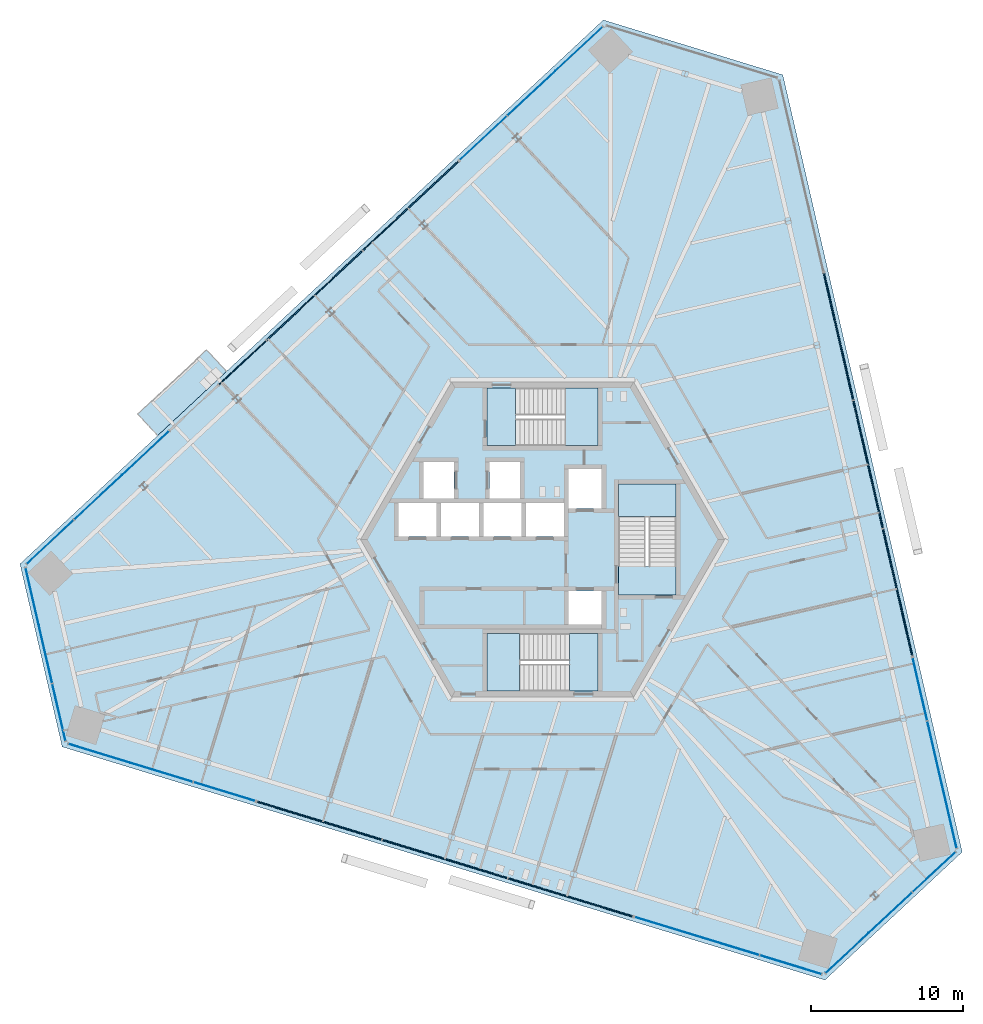
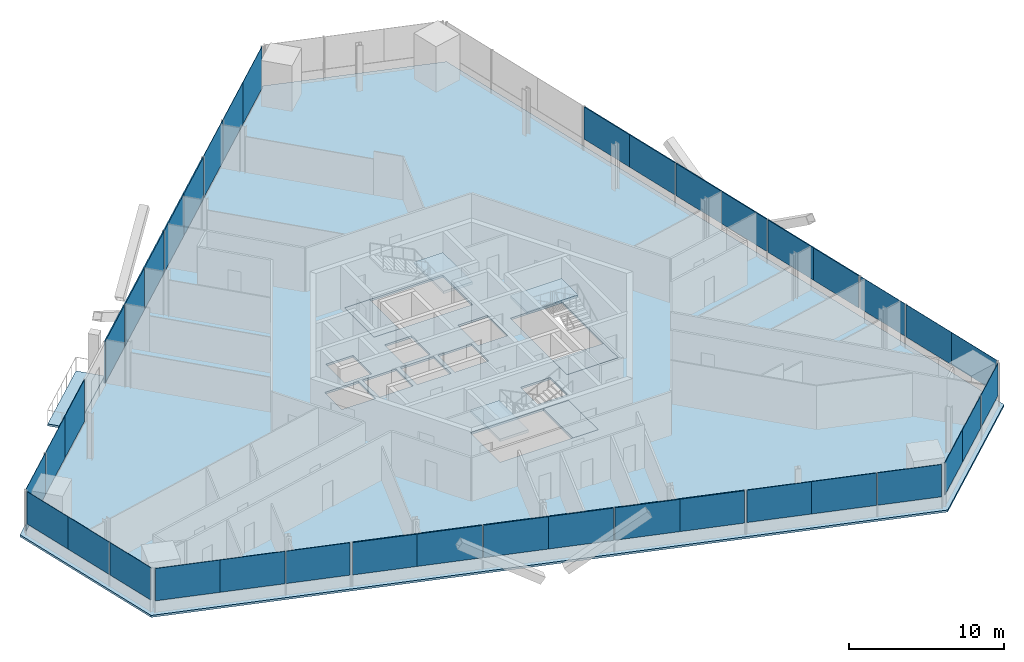
# One storey, part 10 of 20: 38 plates, 8 slabs, 13 elements without a shape of their own.
"""IFC4 building model written with IfcOpenShell, lengths in metres."""

from ifc_helpers import new_model, si_unit, direction, frame, origin, origin_2d, place, context, subcontext, project, spatial, polyline, rectangle, outline, extrude, source, transform, mapped, material, layer, layer_set, type_object, element, aggregate, save


model = new_model("IFC4")

# Units and contexts
model_context = context("Model", 3, precision=1e-05, world=origin(), true_north=direction((0.0, 1.0)))
body_context = subcontext(model_context, "Body", "Model", "MODEL_VIEW")
ifc_project = project(units=[si_unit("LENGTHUNIT", "METRE"), si_unit("AREAUNIT", "SQUARE_METRE"), si_unit("VOLUMEUNIT", "CUBIC_METRE"), si_unit("PLANEANGLEUNIT", "RADIAN"), si_unit("MASSUNIT", "GRAM", prefix="KILO")], contexts=[model_context])

# Site, building, storey
site_placement = place(None, origin())
site = spatial("IfcSite", under=ifc_project, at=site_placement, CompositionType="ELEMENT")
building_placement = place(site_placement, origin())
building = spatial("IfcBuilding", under=site, at=building_placement, Name="Triune Harvest Tower", CompositionType="ELEMENT")
storey_placement = place(building_placement, frame((0.0, 0.0, 116.300048828125)))
storey = spatial("IfcBuildingStorey", under=building, at=storey_placement, Name="L29", CompositionType="ELEMENT", Elevation=116.300048828125)

# Slabs
ifc_material_1 = material(Name="Concrete 40 MPa", Category="concrete")
ifc_layer_1 = layer(ifc_material_1, 0.159912109375)
ifc_layer_set_1 = layer_set([ifc_layer_1], Name="Concrete 40 MPa")
slab_type_1 = type_object("IfcSlabType", Name="BA-1 balcony slab 160", PredefinedType="FLOOR", material=ifc_layer_set_1)
slab_1_placement = place(storey_placement, frame((0.0, 0.0, -0.16015625)))
element("IfcSlab", 1, at=slab_1_placement, inside=storey, type_object=slab_type_1, Name="Balcony slab B3-F3 L29.9", PredefinedType="FLOOR", context=body_context, shape_type="SweptSolid", body=[
    extrude(outline(polyline([(-20.830322265625, 11.099853515625), (-25.378662109375, 6.8583984375), (-26.69580078125, 8.27099609375), (-22.147705078125, 12.51220703125), (-20.830322265625, 11.099853515625)])), origin(), (0.0, 0.0, 1.0), 0.16015625),
])
ifc_material_2 = material(Name="Concrete 40 MPa", Category="concrete")
ifc_layer_2 = layer(ifc_material_2, 0.159912109375)
ifc_layer_set_2 = layer_set([ifc_layer_2], Name="Concrete 40 MPa")
slab_type_2 = type_object("IfcSlabType", Name="SL-1 Composite floor slab 160", PredefinedType="FLOOR", material=ifc_layer_set_2)
shared_shape_1 = source(origin(), body_context, "Body", "SweptSolid", [
    extrude(outline(polyline([(27.666748046875, -20.59765625), (15.83740234375, 30.641357421875), (4.004638671875, 34.2587890625), (-34.454833984375, -1.60498046875), (-31.67138671875, -13.661376953125), (18.617431640625, -29.0361328125), (27.666748046875, -20.59765625)]), holes=[polyline([(-7.0, 0.2099609375), (-7.0, 2.409912109375), (-9.5, 2.409912109375), (-9.5, 0.2099609375), (-7.0, 0.2099609375)]), polyline([(-4.199951171875, 0.2099609375), (-4.199951171875, 2.409912109375), (-6.699951171875, 2.409912109375), (-6.699951171875, 0.2099609375), (-4.199951171875, 0.2099609375)]), polyline([(-1.39990234375, 0.2099609375), (-1.39990234375, 2.409912109375), (-3.89990234375, 2.409912109375), (-3.89990234375, 0.2099609375), (-1.39990234375, 0.2099609375)]), polyline([(1.39990234375, 0.2099609375), (1.39990234375, 2.409912109375), (-1.10009765625, 2.409912109375), (-1.10009765625, 0.2099609375), (1.39990234375, 0.2099609375)]), polyline([(3.89990234375, 2.06005859375), (3.89990234375, 4.659912109375), (1.699951171875, 4.659912109375), (1.699951171875, 2.06005859375), (3.89990234375, 2.06005859375)]), polyline([(3.89990234375, -5.590087890625), (3.89990234375, -3.389892578125), (1.699951171875, -3.389892578125), (1.699951171875, -5.590087890625), (3.89990234375, -5.590087890625)]), polyline([(-5.85009765625, 2.7099609375), (-5.85009765625, 5.110107421875), (-7.85009765625, 5.110107421875), (-7.85009765625, 2.7099609375), (-5.85009765625, 2.7099609375)]), polyline([(-1.5, 2.7099609375), (-1.5, 5.110107421875), (-3.5, 5.110107421875), (-3.5, 2.7099609375), (-1.5, 2.7099609375)]), polyline([(3.64990234375, 6.18994140625), (3.64990234375, 9.989990234375), (-3.64990234375, 9.989990234375), (-3.64990234375, 6.18994140625), (3.64990234375, 6.18994140625)]), polyline([(3.64990234375, -9.989990234375), (3.64990234375, -6.18994140625), (-3.64990234375, -6.18994140625), (-3.64990234375, -9.989990234375), (3.64990234375, -9.989990234375)]), polyline([(8.800048828125, -3.64990234375), (8.800048828125, 3.64990234375), (5.0, 3.64990234375), (5.0, -3.64990234375), (8.800048828125, -3.64990234375)])]), origin(), (0.0, 0.0, 1.0), 0.16015625),
])
slab_2_placement = place(storey_placement, frame((0.0, 0.0, -0.16015625)))
element("IfcSlab", 2, at=slab_2_placement, inside=storey, type_object=slab_type_2, Name="slab/L29/1", PredefinedType="FLOOR", context=body_context, shape_type="MappedRepresentation", body=[
    mapped(shared_shape_1, transform((0.0, 0.0, 0.0), scale=1.0)),
])

# Stair, slabs
ifc_material_3 = material(Name="Concrete 40 MPa", Category="concrete")
stair_type = type_object("IfcStairType", Name="Exit stair 1800 half turn", PredefinedType="HALF_TURN_STAIR", material=ifc_material_3)
stair_1_placement = place(storey_placement, origin())
stair_1 = element("IfcStair", 3, at=stair_1_placement, inside=storey, type_object=stair_type, Name="Exit stair north", PredefinedType="HALF_TURN_STAIR")
ifc_material_4 = material(Name="Concrete 40 MPa", Category="concrete")
ifc_layer_3 = layer(ifc_material_4, 0.199951171875)
ifc_layer_set_3 = layer_set([ifc_layer_3], Name="Concrete 40 MPa")
slab_type_3 = type_object("IfcSlabType", Name="Stair landing 200", PredefinedType="LANDING", material=ifc_layer_set_3)
shared_shape_2 = source(origin(), body_context, "Body", "SweptSolid", [
    extrude(outline(polyline([(-3.64990234375, 6.18994140625), (-1.780029296875, 6.18994140625), (-1.780029296875, 9.989990234375), (-3.64990234375, 9.989990234375), (-3.64990234375, 6.18994140625)])), origin(), (0.0, 0.0, 1.0), 0.199951171875),
])
slab_3_placement = place(storey_placement, frame((0.0, 0.0, -0.199951171875)))
slab_3 = element("IfcSlab", 4, at=slab_3_placement, type_object=slab_type_3, Name="ST-1 landing 1", PredefinedType="LANDING", context=body_context, shape_type="MappedRepresentation", body=[
    mapped(shared_shape_2, transform((0.0, 0.0, 0.0), scale=1.0)),
])
shared_shape_3 = source(origin(), body_context, "Body", "SweptSolid", [
    extrude(outline(polyline([(1.510009765625, 6.18994140625), (3.64990234375, 6.18994140625), (3.64990234375, 9.989990234375), (1.510009765625, 9.989990234375), (1.510009765625, 6.18994140625)])), origin(), (0.0, 0.0, 1.0), 0.2001953125),
])
slab_4_placement = place(storey_placement, frame((0.0, 0.0, 1.599853515625)))
slab_4 = element("IfcSlab", 5, at=slab_4_placement, type_object=slab_type_3, Name="ST-1 landing 2", PredefinedType="LANDING", context=body_context, shape_type="MappedRepresentation", body=[
    mapped(shared_shape_3, transform((0.0, 0.0, 0.0), scale=1.0)),
])
aggregate(stair_1, [slab_3, slab_4])

stair_2_placement = place(storey_placement, origin())
stair_2 = element("IfcStair", 6, at=stair_2_placement, inside=storey, type_object=stair_type, Name="Exit stair south", PredefinedType="HALF_TURN_STAIR")
shared_shape_4 = source(origin(), body_context, "Body", "SweptSolid", [
    extrude(outline(polyline([(3.64990234375, -6.18994140625), (1.780029296875, -6.18994140625), (1.780029296875, -9.989990234375), (3.64990234375, -9.989990234375), (3.64990234375, -6.18994140625)])), origin(), (0.0, 0.0, 1.0), 0.199951171875),
])
slab_5_placement = place(storey_placement, frame((0.0, 0.0, -0.199951171875)))
slab_5 = element("IfcSlab", 7, at=slab_5_placement, type_object=slab_type_3, Name="ST-2 landing 1", PredefinedType="LANDING", context=body_context, shape_type="MappedRepresentation", body=[
    mapped(shared_shape_4, transform((0.0, 0.0, 0.0), scale=1.0)),
])
shared_shape_5 = source(origin(), body_context, "Body", "SweptSolid", [
    extrude(outline(polyline([(-1.510009765625, -6.18994140625), (-3.64990234375, -6.18994140625), (-3.64990234375, -9.989990234375), (-1.510009765625, -9.989990234375), (-1.510009765625, -6.18994140625)])), origin(), (0.0, 0.0, 1.0), 0.2001953125),
])
slab_6_placement = place(storey_placement, frame((0.0, 0.0, 1.599853515625)))
slab_6 = element("IfcSlab", 8, at=slab_6_placement, type_object=slab_type_3, Name="ST-2 landing 2", PredefinedType="LANDING", context=body_context, shape_type="MappedRepresentation", body=[
    mapped(shared_shape_5, transform((0.0, 0.0, 0.0), scale=1.0)),
])
aggregate(stair_2, [slab_5, slab_6])

stair_3_placement = place(storey_placement, origin())
stair_3 = element("IfcStair", 9, at=stair_3_placement, inside=storey, type_object=stair_type, Name="Exit stair east", PredefinedType="HALF_TURN_STAIR")
shared_shape_6 = source(origin(), body_context, "Body", "SweptSolid", [
    extrude(outline(polyline([(8.800048828125, -3.64990234375), (8.800048828125, -1.780029296875), (5.0, -1.780029296875), (5.0, -3.64990234375), (8.800048828125, -3.64990234375)])), origin(), (0.0, 0.0, 1.0), 0.199951171875),
])
slab_7_placement = place(storey_placement, frame((0.0, 0.0, -0.199951171875)))
slab_7 = element("IfcSlab", 10, at=slab_7_placement, type_object=slab_type_3, Name="ST-3 landing 1", PredefinedType="LANDING", context=body_context, shape_type="MappedRepresentation", body=[
    mapped(shared_shape_6, transform((0.0, 0.0, 0.0), scale=1.0)),
])
shared_shape_7 = source(origin(), body_context, "Body", "SweptSolid", [
    extrude(outline(polyline([(8.800048828125, 1.510009765625), (8.800048828125, 3.64990234375), (5.0, 3.64990234375), (5.0, 1.510009765625), (8.800048828125, 1.510009765625)])), origin(), (0.0, 0.0, 1.0), 0.2001953125),
])
slab_8_placement = place(storey_placement, frame((0.0, 0.0, 1.599853515625)))
slab_8 = element("IfcSlab", 11, at=slab_8_placement, type_object=slab_type_3, Name="ST-3 landing 2", PredefinedType="LANDING", context=body_context, shape_type="MappedRepresentation", body=[
    mapped(shared_shape_7, transform((0.0, 0.0, 0.0), scale=1.0)),
])
aggregate(stair_3, [slab_7, slab_8])

# Curtain wall, plate
ifc_material_5 = material(Name="Aluminium bronze anodised", Category="aluminium")
curtain_wall_type_1 = type_object("IfcCurtainWallType", Name="CW-1 Tower stick curtain wall", PredefinedType="NOTDEFINED", material=ifc_material_5)
curtain_wall_1_placement = place(storey_placement, origin())
curtain_wall_1 = element("IfcCurtainWall", 12, at=curtain_wall_1_placement, inside=storey, type_object=curtain_wall_type_1, Name="CW-1 B3-F4 L29 run 1")
ifc_material_6 = material(Name="Glass", Category="glass")
ifc_layer_4 = layer(ifc_material_6, 0.031982421875)
ifc_layer_set_4 = layer_set([ifc_layer_4], Name="Glass")
plate_type_1 = type_object("IfcPlateType", Name="GL-1 panel 32", PredefinedType="CURTAIN_PANEL", material=ifc_layer_set_4)
shared_shape_8 = source(origin(), body_context, "Body", "SweptSolid", [
    extrude(rectangle(XDim=3.8740234375, YDim=0.031982421875, at=origin_2d()), origin(), (0.0, 0.0, 1.0), 2.5400390625),
])
plate_1_placement = place(storey_placement, frame((-33.650634765625, -3.75439453125, 0.89990234375), z_axis=(0.0, 0.0, 1.0), x_axis=(0.224946950683, -0.974371012181, 0.0)))
plate_1 = element("IfcPlate", 13, at=plate_1_placement, type_object=plate_type_1, Name="CW-1 panel B3-F4 1.1", PredefinedType="CURTAIN_PANEL", context=body_context, shape_type="MappedRepresentation", body=[
    mapped(shared_shape_8, transform((0.0, 0.0, 0.0), scale=1.0)),
])

curtain_wall_2_placement = place(storey_placement, origin())
curtain_wall_2 = element("IfcCurtainWall", 14, at=curtain_wall_2_placement, inside=storey, type_object=curtain_wall_type_1, Name="CW-1 B3-F6 L29 run 1")
plate_2_placement = place(storey_placement, frame((20.076904296875, -27.26513671875, 0.89990234375), z_axis=(0.0, 0.0, 1.0), x_axis=(0.731349946151, 0.682002387287, 0.0)))
plate_2 = element("IfcPlate", 15, at=plate_2_placement, type_object=plate_type_1, Name="CW-1 panel B3-F6 1.1", PredefinedType="CURTAIN_PANEL", context=body_context, shape_type="MappedRepresentation", body=[
    mapped(shared_shape_8, transform((0.0, 0.0, 0.0), scale=1.0)),
])

# Plate
shared_shape_9 = source(origin(), body_context, "Body", "SweptSolid", [
    extrude(rectangle(XDim=3.911376953125, YDim=0.031982421875, at=origin_2d()), origin(), (0.0, 0.0, 1.0), 2.5400390625),
])
plate_3_placement = place(storey_placement, frame((-32.77490234375, -7.54736328125, 0.89990234375), z_axis=(0.0, 0.0, 1.0), x_axis=(0.224946950683, -0.974371012181, 0.0)))
plate_3 = element("IfcPlate", 16, at=plate_3_placement, type_object=plate_type_1, Name="CW-1 panel B3-F4 1.2", PredefinedType="CURTAIN_PANEL", context=body_context, shape_type="MappedRepresentation", body=[
    mapped(shared_shape_9, transform((0.0, 0.0, 0.0), scale=1.0)),
])

plate_4_placement = place(storey_placement, frame((22.923828125, -24.6103515625, 0.89990234375), z_axis=(0.0, 0.0, 1.0), x_axis=(0.731349946151, 0.682002387287, 0.0)))
plate_4 = element("IfcPlate", 17, at=plate_4_placement, type_object=plate_type_1, Name="CW-1 panel B3-F6 1.2", PredefinedType="CURTAIN_PANEL", context=body_context, shape_type="MappedRepresentation", body=[
    mapped(shared_shape_9, transform((0.0, 0.0, 0.0), scale=1.0)),
])

shared_shape_10 = source(origin(), body_context, "Body", "SweptSolid", [
    extrude(rectangle(XDim=3.83642578125, YDim=0.031982421875, at=origin_2d()), origin(), (0.0, 0.0, 1.0), 2.5400390625),
])
plate_5_placement = place(storey_placement, frame((-31.88671875, -11.395263671875, 0.89990234375), z_axis=(0.0, 0.0, 1.0), x_axis=(0.224946950683, -0.974371012181, 0.0)))
plate_5 = element("IfcPlate", 18, at=plate_5_placement, type_object=plate_type_1, Name="CW-1 panel B3-F4 1.3", PredefinedType="CURTAIN_PANEL", context=body_context, shape_type="MappedRepresentation", body=[
    mapped(shared_shape_10, transform((0.0, 0.0, 0.0), scale=1.0)),
])

aggregate(curtain_wall_1, [plate_1, plate_3, plate_5])

plate_6_placement = place(storey_placement, frame((25.81201171875, -21.9169921875, 0.89990234375), z_axis=(0.0, 0.0, 1.0), x_axis=(0.731349946151, 0.682002387287, 0.0)))
plate_6 = element("IfcPlate", 19, at=plate_6_placement, type_object=plate_type_1, Name="CW-1 panel B3-F6 1.3", PredefinedType="CURTAIN_PANEL", context=body_context, shape_type="MappedRepresentation", body=[
    mapped(shared_shape_10, transform((0.0, 0.0, 0.0), scale=1.0)),
])

aggregate(curtain_wall_2, [plate_2, plate_4, plate_6])

# Curtain wall, plates
ifc_material_7 = material(Name="Aluminium bronze anodised", Category="aluminium")
curtain_wall_type_2 = type_object("IfcCurtainWallType", Name="CW-7 Tower stick curtain wall with insulated spandrel infill", PredefinedType="NOTDEFINED", material=ifc_material_7)
curtain_wall_3_placement = place(storey_placement, origin())
curtain_wall_3 = element("IfcCurtainWall", 20, at=curtain_wall_3_placement, inside=storey, type_object=curtain_wall_type_2, Name="CW-7 B3-F1 L29 run 1001")
ifc_material_8 = material(Name="Insulated spandrel panel, bronze aluminium pan", Category="aluminium")
ifc_layer_5 = layer(ifc_material_8, 0.080078125)
ifc_layer_set_5 = layer_set([ifc_layer_5], Name="Insulated spandrel panel, bronze aluminium pan")
plate_type_2 = type_object("IfcPlateType", Name="SP-1 insulated spandrel panel 80", PredefinedType="CURTAIN_PANEL", material=ifc_layer_set_5)
shared_shape_11 = source(origin(), body_context, "Body", "SweptSolid", [
    extrude(rectangle(XDim=4.263427734375, YDim=0.080078125, at=origin_2d()), origin(), (0.0, 0.0, 1.0), 2.5400390625),
])
plate_7_placement = place(storey_placement, frame((23.89111328125, -5.576904296875, 0.89990234375), z_axis=(0.0, 0.0, 1.0), x_axis=(-0.22495153415, 0.974369954013, 0.0)))
plate_7 = element("IfcPlate", 21, at=plate_7_placement, type_object=plate_type_2, Name="CW-7 panel B3-F1 1001.1", PredefinedType="CURTAIN_PANEL", context=body_context, shape_type="MappedRepresentation", body=[
    mapped(shared_shape_11, transform((0.0, 0.0, 0.0), scale=1.0)),
])
plate_8_placement = place(storey_placement, frame((19.0283203125, 15.485595703125, 0.89990234375), z_axis=(0.0, 0.0, 1.0), x_axis=(-0.22495153415, 0.974369954013, 0.0)))
plate_8 = element("IfcPlate", 22, at=plate_8_placement, type_object=plate_type_2, Name="CW-7 panel B3-F1 1001.6", PredefinedType="CURTAIN_PANEL", context=body_context, shape_type="MappedRepresentation", body=[
    mapped(shared_shape_11, transform((0.0, 0.0, 0.0), scale=1.0)),
])

curtain_wall_4_placement = place(storey_placement, origin())
curtain_wall_4 = element("IfcCurtainWall", 23, at=curtain_wall_4_placement, inside=storey, type_object=curtain_wall_type_2, Name="CW-7 B3-F5 L29 run 1001")
plate_9_placement = place(storey_placement, frame((-16.775390625, -17.90185546875, 0.89990234375), z_axis=(0.0, 0.0, 1.0), x_axis=(0.956304349234, -0.292373035069, 0.0)))
plate_9 = element("IfcPlate", 24, at=plate_9_placement, type_object=plate_type_2, Name="CW-7 panel B3-F5 1001.1", PredefinedType="CURTAIN_PANEL", context=body_context, shape_type="MappedRepresentation", body=[
    mapped(shared_shape_11, transform((0.0, 0.0, 0.0), scale=1.0)),
])
plate_10_placement = place(storey_placement, frame((3.896728515625, -24.221923828125, 0.89990234375), z_axis=(0.0, 0.0, 1.0), x_axis=(0.956304349234, -0.292373035069, 0.0)))
plate_10 = element("IfcPlate", 25, at=plate_10_placement, type_object=plate_type_2, Name="CW-7 panel B3-F5 1001.6", PredefinedType="CURTAIN_PANEL", context=body_context, shape_type="MappedRepresentation", body=[
    mapped(shared_shape_11, transform((0.0, 0.0, 0.0), scale=1.0)),
])

# Plate
shared_shape_12 = source(origin(), body_context, "Body", "SweptSolid", [
    extrude(rectangle(XDim=4.30078125, YDim=0.080078125, at=origin_2d()), origin(), (0.0, 0.0, 1.0), 2.5400390625),
])
plate_11_placement = place(storey_placement, frame((22.927734375, -1.404541015625, 0.89990234375), z_axis=(0.0, 0.0, 1.0), x_axis=(-0.22495153415, 0.974369954013, 0.0)))
plate_11 = element("IfcPlate", 26, at=plate_11_placement, type_object=plate_type_2, Name="CW-7 panel B3-F1 1001.2", PredefinedType="CURTAIN_PANEL", context=body_context, shape_type="MappedRepresentation", body=[
    mapped(shared_shape_12, transform((0.0, 0.0, 0.0), scale=1.0)),
])

plate_12_placement = place(storey_placement, frame((21.943603515625, 2.859130859375, 0.89990234375), z_axis=(0.0, 0.0, 1.0), x_axis=(-0.22495153415, 0.974369954013, 0.0)))
plate_12 = element("IfcPlate", 27, at=plate_12_placement, type_object=plate_type_2, Name="CW-7 panel B3-F1 1001.3", PredefinedType="CURTAIN_PANEL", context=body_context, shape_type="MappedRepresentation", body=[
    mapped(shared_shape_12, transform((0.0, 0.0, 0.0), scale=1.0)),
])

plate_13_placement = place(storey_placement, frame((20.97607421875, 7.049560546875, 0.89990234375), z_axis=(0.0, 0.0, 1.0), x_axis=(-0.22495153415, 0.974369954013, 0.0)))
plate_13 = element("IfcPlate", 28, at=plate_13_placement, type_object=plate_type_2, Name="CW-7 panel B3-F1 1001.4", PredefinedType="CURTAIN_PANEL", context=body_context, shape_type="MappedRepresentation", body=[
    mapped(shared_shape_12, transform((0.0, 0.0, 0.0), scale=1.0)),
])

plate_14_placement = place(storey_placement, frame((19.99169921875, 11.313232421875, 0.89990234375), z_axis=(0.0, 0.0, 1.0), x_axis=(-0.22495153415, 0.974369954013, 0.0)))
plate_14 = element("IfcPlate", 29, at=plate_14_placement, type_object=plate_type_2, Name="CW-7 panel B3-F1 1001.5", PredefinedType="CURTAIN_PANEL", context=body_context, shape_type="MappedRepresentation", body=[
    mapped(shared_shape_12, transform((0.0, 0.0, 0.0), scale=1.0)),
])

aggregate(curtain_wall_3, [plate_7, plate_11, plate_12, plate_13, plate_14, plate_8])

plate_15_placement = place(storey_placement, frame((-12.680419921875, -19.15380859375, 0.89990234375), z_axis=(0.0, 0.0, 1.0), x_axis=(0.956304349234, -0.292373035069, 0.0)))
plate_15 = element("IfcPlate", 30, at=plate_15_placement, type_object=plate_type_2, Name="CW-7 panel B3-F5 1001.2", PredefinedType="CURTAIN_PANEL", context=body_context, shape_type="MappedRepresentation", body=[
    mapped(shared_shape_12, transform((0.0, 0.0, 0.0), scale=1.0)),
])

plate_16_placement = place(storey_placement, frame((-8.49560546875, -20.43310546875, 0.89990234375), z_axis=(0.0, 0.0, 1.0), x_axis=(0.956304349234, -0.292373035069, 0.0)))
plate_16 = element("IfcPlate", 31, at=plate_16_placement, type_object=plate_type_2, Name="CW-7 panel B3-F5 1001.3", PredefinedType="CURTAIN_PANEL", context=body_context, shape_type="MappedRepresentation", body=[
    mapped(shared_shape_12, transform((0.0, 0.0, 0.0), scale=1.0)),
])

plate_17_placement = place(storey_placement, frame((-4.3828125, -21.690673828125, 0.89990234375), z_axis=(0.0, 0.0, 1.0), x_axis=(0.956304349234, -0.292373035069, 0.0)))
plate_17 = element("IfcPlate", 32, at=plate_17_placement, type_object=plate_type_2, Name="CW-7 panel B3-F5 1001.4", PredefinedType="CURTAIN_PANEL", context=body_context, shape_type="MappedRepresentation", body=[
    mapped(shared_shape_12, transform((0.0, 0.0, 0.0), scale=1.0)),
])

plate_18_placement = place(storey_placement, frame((-0.1982421875, -22.969970703125, 0.89990234375), z_axis=(0.0, 0.0, 1.0), x_axis=(0.956304349234, -0.292373035069, 0.0)))
plate_18 = element("IfcPlate", 33, at=plate_18_placement, type_object=plate_type_2, Name="CW-7 panel B3-F5 1001.5", PredefinedType="CURTAIN_PANEL", context=body_context, shape_type="MappedRepresentation", body=[
    mapped(shared_shape_12, transform((0.0, 0.0, 0.0), scale=1.0)),
])

aggregate(curtain_wall_4, [plate_9, plate_15, plate_16, plate_17, plate_18, plate_10])

# Curtain wall, plate
curtain_wall_5_placement = place(storey_placement, origin())
curtain_wall_5 = element("IfcCurtainWall", 34, at=curtain_wall_5_placement, inside=storey, type_object=curtain_wall_type_1, Name="CW-1 B3-F1 L29 run 1")
shared_shape_13 = source(origin(), body_context, "Body", "SweptSolid", [
    extrude(rectangle(XDim=4.263427734375, YDim=0.031982421875, at=origin_2d()), origin(), (0.0, 0.0, 1.0), 2.5400390625),
])
plate_19_placement = place(storey_placement, frame((26.81884765625, -18.258544921875, 0.89990234375), z_axis=(0.0, 0.0, 1.0), x_axis=(-0.22495089959, 0.974370100513, 0.0)))
plate_19 = element("IfcPlate", 35, at=plate_19_placement, type_object=plate_type_1, Name="CW-1 panel B3-F1 1.1", PredefinedType="CURTAIN_PANEL", context=body_context, shape_type="MappedRepresentation", body=[
    mapped(shared_shape_13, transform((0.0, 0.0, 0.0), scale=1.0)),
])

curtain_wall_6_placement = place(storey_placement, origin())
curtain_wall_6 = element("IfcCurtainWall", 36, at=curtain_wall_6_placement, inside=storey, type_object=curtain_wall_type_1, Name="CW-1 B3-F5 L29 run 1")
plate_20_placement = place(storey_placement, frame((-29.2216796875, -14.096435546875, 0.89990234375), z_axis=(0.0, 0.0, 1.0), x_axis=(0.956304110088, -0.292373817276, 0.0)))
plate_20 = element("IfcPlate", 37, at=plate_20_placement, type_object=plate_type_1, Name="CW-1 panel B3-F5 1.1", PredefinedType="CURTAIN_PANEL", context=body_context, shape_type="MappedRepresentation", body=[
    mapped(shared_shape_13, transform((0.0, 0.0, 0.0), scale=1.0)),
])

curtain_wall_7_placement = place(storey_placement, origin())
curtain_wall_7 = element("IfcCurtainWall", 38, at=curtain_wall_7_placement, inside=storey, type_object=curtain_wall_type_1, Name="CW-1 B3-F5 L29 run 2001")
plate_21_placement = place(storey_placement, frame((8.117431640625, -25.51220703125, 0.89990234375), z_axis=(0.0, 0.0, 1.0), x_axis=(0.956304110088, -0.292373817276, 0.0)))
plate_21 = element("IfcPlate", 39, at=plate_21_placement, type_object=plate_type_1, Name="CW-1 panel B3-F5 2001.1", PredefinedType="CURTAIN_PANEL", context=body_context, shape_type="MappedRepresentation", body=[
    mapped(shared_shape_13, transform((0.0, 0.0, 0.0), scale=1.0)),
])

# Plate
shared_shape_14 = source(origin(), body_context, "Body", "SweptSolid", [
    extrude(rectangle(XDim=4.30078125, YDim=0.031982421875, at=origin_2d()), origin(), (0.0, 0.0, 1.0), 2.5400390625),
])
plate_22_placement = place(storey_placement, frame((25.855712890625, -14.086181640625, 0.89990234375), z_axis=(0.0, 0.0, 1.0), x_axis=(-0.22495089959, 0.974370100513, 0.0)))
plate_22 = element("IfcPlate", 40, at=plate_22_placement, type_object=plate_type_1, Name="CW-1 panel B3-F1 1.2", PredefinedType="CURTAIN_PANEL", context=body_context, shape_type="MappedRepresentation", body=[
    mapped(shared_shape_14, transform((0.0, 0.0, 0.0), scale=1.0)),
])

plate_23_placement = place(storey_placement, frame((-25.126708984375, -15.348388671875, 0.89990234375), z_axis=(0.0, 0.0, 1.0), x_axis=(0.956304110088, -0.292373817276, 0.0)))
plate_23 = element("IfcPlate", 41, at=plate_23_placement, type_object=plate_type_1, Name="CW-1 panel B3-F5 1.2", PredefinedType="CURTAIN_PANEL", context=body_context, shape_type="MappedRepresentation", body=[
    mapped(shared_shape_14, transform((0.0, 0.0, 0.0), scale=1.0)),
])

plate_24_placement = place(storey_placement, frame((12.21240234375, -26.76416015625, 0.89990234375), z_axis=(0.0, 0.0, 1.0), x_axis=(0.956304110088, -0.292373817276, 0.0)))
plate_24 = element("IfcPlate", 42, at=plate_24_placement, type_object=plate_type_1, Name="CW-1 panel B3-F5 2001.2", PredefinedType="CURTAIN_PANEL", context=body_context, shape_type="MappedRepresentation", body=[
    mapped(shared_shape_14, transform((0.0, 0.0, 0.0), scale=1.0)),
])

# Curtain wall, plates
ifc_material_9 = material(Name="Aluminium bronze anodised", Category="aluminium")
curtain_wall_type_3 = type_object("IfcCurtainWallType", Name="CW-6 Balcony window wall", PredefinedType="NOTDEFINED", material=ifc_material_9)
curtain_wall_8_placement = place(storey_placement, origin())
curtain_wall_8 = element("IfcCurtainWall", 43, at=curtain_wall_8_placement, inside=storey, type_object=curtain_wall_type_3, Name="CW-6 B3-F3 L29 run 1")
ifc_material_10 = material(Name="Glass", Category="glass")
ifc_layer_6 = layer(ifc_material_10, 0.030029296875)
ifc_layer_set_6 = layer_set([ifc_layer_6], Name="Glass")
plate_type_3 = type_object("IfcPlateType", Name="GL-6 panel 30", PredefinedType="CURTAIN_PANEL", material=ifc_layer_set_6)
shared_shape_15 = source(origin(), body_context, "Body", "SweptSolid", [
    extrude(rectangle(XDim=4.26708984375, YDim=0.030029296875, at=origin_2d()), origin(), (0.0, 0.0, 1.0), 3.2900390625),
])
plate_25_placement = place(storey_placement, frame((2.401611328125, 32.353759765625, 0.14990234375), z_axis=(0.0, 0.0, 1.0), x_axis=(-0.731355138562, -0.681996819127, 0.0)))
plate_25 = element("IfcPlate", 44, at=plate_25_placement, type_object=plate_type_3, Name="CW-6 panel B3-F3 1.1", PredefinedType="CURTAIN_PANEL", context=body_context, shape_type="MappedRepresentation", body=[
    mapped(shared_shape_15, transform((0.0, 0.0, 0.0), scale=1.0)),
])
shared_shape_16 = source(origin(), body_context, "Body", "SweptSolid", [
    extrude(rectangle(XDim=4.3046875, YDim=0.030029296875, at=origin_2d()), origin(), (0.0, 0.0, 1.0), 3.2900390625),
])
plate_26_placement = place(storey_placement, frame((-0.73291015625, 29.430908203125, 0.14990234375), z_axis=(0.0, 0.0, 1.0), x_axis=(-0.731355138562, -0.681996819127, 0.0)))
plate_26 = element("IfcPlate", 45, at=plate_26_placement, type_object=plate_type_3, Name="CW-6 panel B3-F3 1.2", PredefinedType="CURTAIN_PANEL", context=body_context, shape_type="MappedRepresentation", body=[
    mapped(shared_shape_16, transform((0.0, 0.0, 0.0), scale=1.0)),
])

ifc_material_11 = material(Name="Aluminium bronze anodised", Category="aluminium")
curtain_wall_type_4 = type_object("IfcCurtainWallType", Name="CW-10 Balcony window wall with insulated spandrel infill", PredefinedType="NOTDEFINED", material=ifc_material_11)
curtain_wall_9_placement = place(storey_placement, origin())
curtain_wall_9 = element("IfcCurtainWall", 46, at=curtain_wall_9_placement, inside=storey, type_object=curtain_wall_type_4, Name="CW-10 B3-F3 L29 run 1001")
shared_shape_17 = source(origin(), body_context, "Body", "SweptSolid", [
    extrude(rectangle(XDim=4.26708984375, YDim=0.080078125, at=origin_2d()), origin(), (0.0, 0.0, 1.0), 3.2900390625),
])
plate_27_placement = place(storey_placement, frame((-7.125244140625, 23.469970703125, 0.14990234375), z_axis=(0.0, 0.0, 1.0), x_axis=(-0.731352299157, -0.681999864016, 0.0)))
plate_27 = element("IfcPlate", 47, at=plate_27_placement, type_object=plate_type_2, Name="CW-10 panel B3-F3 1001.1", PredefinedType="CURTAIN_PANEL", context=body_context, shape_type="MappedRepresentation", body=[
    mapped(shared_shape_17, transform((0.0, 0.0, 0.0), scale=1.0)),
])
shared_shape_18 = source(origin(), body_context, "Body", "SweptSolid", [
    extrude(rectangle(XDim=4.3046875, YDim=0.080078125, at=origin_2d()), origin(), (0.0, 0.0, 1.0), 3.2900390625),
])
plate_28_placement = place(storey_placement, frame((-10.259765625, 20.546875, 0.14990234375), z_axis=(0.0, 0.0, 1.0), x_axis=(-0.731352299157, -0.681999864016, 0.0)))
plate_28 = element("IfcPlate", 48, at=plate_28_placement, type_object=plate_type_2, Name="CW-10 panel B3-F3 1001.2", PredefinedType="CURTAIN_PANEL", context=body_context, shape_type="MappedRepresentation", body=[
    mapped(shared_shape_18, transform((0.0, 0.0, 0.0), scale=1.0)),
])
plate_29_placement = place(storey_placement, frame((-13.462890625, 17.56005859375, 0.14990234375), z_axis=(0.0, 0.0, 1.0), x_axis=(-0.731352299157, -0.681999864016, 0.0)))
plate_29 = element("IfcPlate", 49, at=plate_29_placement, type_object=plate_type_2, Name="CW-10 panel B3-F3 1001.3", PredefinedType="CURTAIN_PANEL", context=body_context, shape_type="MappedRepresentation", body=[
    mapped(shared_shape_18, transform((0.0, 0.0, 0.0), scale=1.0)),
])
plate_30_placement = place(storey_placement, frame((-16.611083984375, 14.624267578125, 0.14990234375), z_axis=(0.0, 0.0, 1.0), x_axis=(-0.731352299157, -0.681999864016, 0.0)))
plate_30 = element("IfcPlate", 50, at=plate_30_placement, type_object=plate_type_2, Name="CW-10 panel B3-F3 1001.4", PredefinedType="CURTAIN_PANEL", context=body_context, shape_type="MappedRepresentation", body=[
    mapped(shared_shape_18, transform((0.0, 0.0, 0.0), scale=1.0)),
])

# Plate
shared_shape_19 = source(origin(), body_context, "Body", "SweptSolid", [
    extrude(rectangle(XDim=4.225830078125, YDim=0.031982421875, at=origin_2d()), origin(), (0.0, 0.0, 1.0), 2.5400390625),
])
plate_31_placement = place(storey_placement, frame((24.879638671875, -9.85888671875, 0.89990234375), z_axis=(0.0, 0.0, 1.0), x_axis=(-0.22495089959, 0.974370100513, 0.0)))
plate_31 = element("IfcPlate", 51, at=plate_31_placement, type_object=plate_type_1, Name="CW-1 panel B3-F1 1.3", PredefinedType="CURTAIN_PANEL", context=body_context, shape_type="MappedRepresentation", body=[
    mapped(shared_shape_19, transform((0.0, 0.0, 0.0), scale=1.0)),
])

aggregate(curtain_wall_5, [plate_19, plate_22, plate_31])

plate_32_placement = place(storey_placement, frame((-20.97802734375, -16.616943359375, 0.89990234375), z_axis=(0.0, 0.0, 1.0), x_axis=(0.956304110088, -0.292373817276, 0.0)))
plate_32 = element("IfcPlate", 52, at=plate_32_placement, type_object=plate_type_1, Name="CW-1 panel B3-F5 1.3", PredefinedType="CURTAIN_PANEL", context=body_context, shape_type="MappedRepresentation", body=[
    mapped(shared_shape_19, transform((0.0, 0.0, 0.0), scale=1.0)),
])

aggregate(curtain_wall_6, [plate_20, plate_23, plate_32])

plate_33_placement = place(storey_placement, frame((16.361083984375, -28.03271484375, 0.89990234375), z_axis=(0.0, 0.0, 1.0), x_axis=(0.956304110088, -0.292373817276, 0.0)))
plate_33 = element("IfcPlate", 53, at=plate_33_placement, type_object=plate_type_1, Name="CW-1 panel B3-F5 2001.3", PredefinedType="CURTAIN_PANEL", context=body_context, shape_type="MappedRepresentation", body=[
    mapped(shared_shape_19, transform((0.0, 0.0, 0.0), scale=1.0)),
])

aggregate(curtain_wall_7, [plate_21, plate_24, plate_33])

shared_shape_20 = source(origin(), body_context, "Body", "SweptSolid", [
    extrude(rectangle(XDim=4.2294921875, YDim=0.030029296875, at=origin_2d()), origin(), (0.0, 0.0, 1.0), 3.2900390625),
])
plate_34_placement = place(storey_placement, frame((-3.90869140625, 26.469482421875, 0.14990234375), z_axis=(0.0, 0.0, 1.0), x_axis=(-0.731355138562, -0.681996819127, 0.0)))
plate_34 = element("IfcPlate", 54, at=plate_34_placement, type_object=plate_type_3, Name="CW-6 panel B3-F3 1.3", PredefinedType="CURTAIN_PANEL", context=body_context, shape_type="MappedRepresentation", body=[
    mapped(shared_shape_20, transform((0.0, 0.0, 0.0), scale=1.0)),
])

aggregate(curtain_wall_8, [plate_25, plate_26, plate_34])

shared_shape_21 = source(origin(), body_context, "Body", "SweptSolid", [
    extrude(rectangle(XDim=4.2294921875, YDim=0.080078125, at=origin_2d()), origin(), (0.0, 0.0, 1.0), 3.2900390625),
])
plate_35_placement = place(storey_placement, frame((-19.78662109375, 11.6630859375, 0.14990234375), z_axis=(0.0, 0.0, 1.0), x_axis=(-0.731352299157, -0.681999864016, 0.0)))
plate_35 = element("IfcPlate", 55, at=plate_35_placement, type_object=plate_type_2, Name="CW-10 panel B3-F3 1001.5", PredefinedType="CURTAIN_PANEL", context=body_context, shape_type="MappedRepresentation", body=[
    mapped(shared_shape_21, transform((0.0, 0.0, 0.0), scale=1.0)),
])

aggregate(curtain_wall_9, [plate_27, plate_28, plate_29, plate_30, plate_35])

# Curtain wall, plates
curtain_wall_10_placement = place(storey_placement, origin())
curtain_wall_10 = element("IfcCurtainWall", 56, at=curtain_wall_10_placement, inside=storey, type_object=curtain_wall_type_3, Name="CW-6 B3-F3 L29 run 2")
shared_shape_22 = source(origin(), body_context, "Body", "SweptSolid", [
    extrude(rectangle(XDim=4.248291015625, YDim=0.030029296875, at=origin_2d()), origin(), (0.0, 0.0, 1.0), 3.2900390625),
])
plate_36_placement = place(storey_placement, frame((-26.180419921875, 5.70068359375, 0.14990234375), z_axis=(0.0, 0.0, 1.0), x_axis=(-0.73135336394, -0.681998722179, 0.0)))
plate_36 = element("IfcPlate", 57, at=plate_36_placement, type_object=plate_type_3, Name="CW-6 panel B3-F3 2.1", PredefinedType="CURTAIN_PANEL", context=body_context, shape_type="MappedRepresentation", body=[
    mapped(shared_shape_22, transform((0.0, 0.0, 0.0), scale=1.0)),
])
shared_shape_23 = source(origin(), body_context, "Body", "SweptSolid", [
    extrude(rectangle(XDim=4.285888671875, YDim=0.030029296875, at=origin_2d()), origin(), (0.0, 0.0, 1.0), 3.2900390625),
])
plate_37_placement = place(storey_placement, frame((-29.301025390625, 2.79052734375, 0.14990234375), z_axis=(0.0, 0.0, 1.0), x_axis=(-0.73135336394, -0.681998722179, 0.0)))
plate_37 = element("IfcPlate", 58, at=plate_37_placement, type_object=plate_type_3, Name="CW-6 panel B3-F3 2.2", PredefinedType="CURTAIN_PANEL", context=body_context, shape_type="MappedRepresentation", body=[
    mapped(shared_shape_23, transform((0.0, 0.0, 0.0), scale=1.0)),
])
shared_shape_24 = source(origin(), body_context, "Body", "SweptSolid", [
    extrude(rectangle(XDim=4.2109375, YDim=0.030029296875, at=origin_2d()), origin(), (0.0, 0.0, 1.0), 3.2900390625),
])
plate_38_placement = place(storey_placement, frame((-32.463134765625, -0.157958984375, 0.14990234375), z_axis=(0.0, 0.0, 1.0), x_axis=(-0.73135336394, -0.681998722179, 0.0)))
plate_38 = element("IfcPlate", 59, at=plate_38_placement, type_object=plate_type_3, Name="CW-6 panel B3-F3 2.3", PredefinedType="CURTAIN_PANEL", context=body_context, shape_type="MappedRepresentation", body=[
    mapped(shared_shape_24, transform((0.0, 0.0, 0.0), scale=1.0)),
])
aggregate(curtain_wall_10, [plate_36, plate_37, plate_38])

save(model, "model.ifc")
